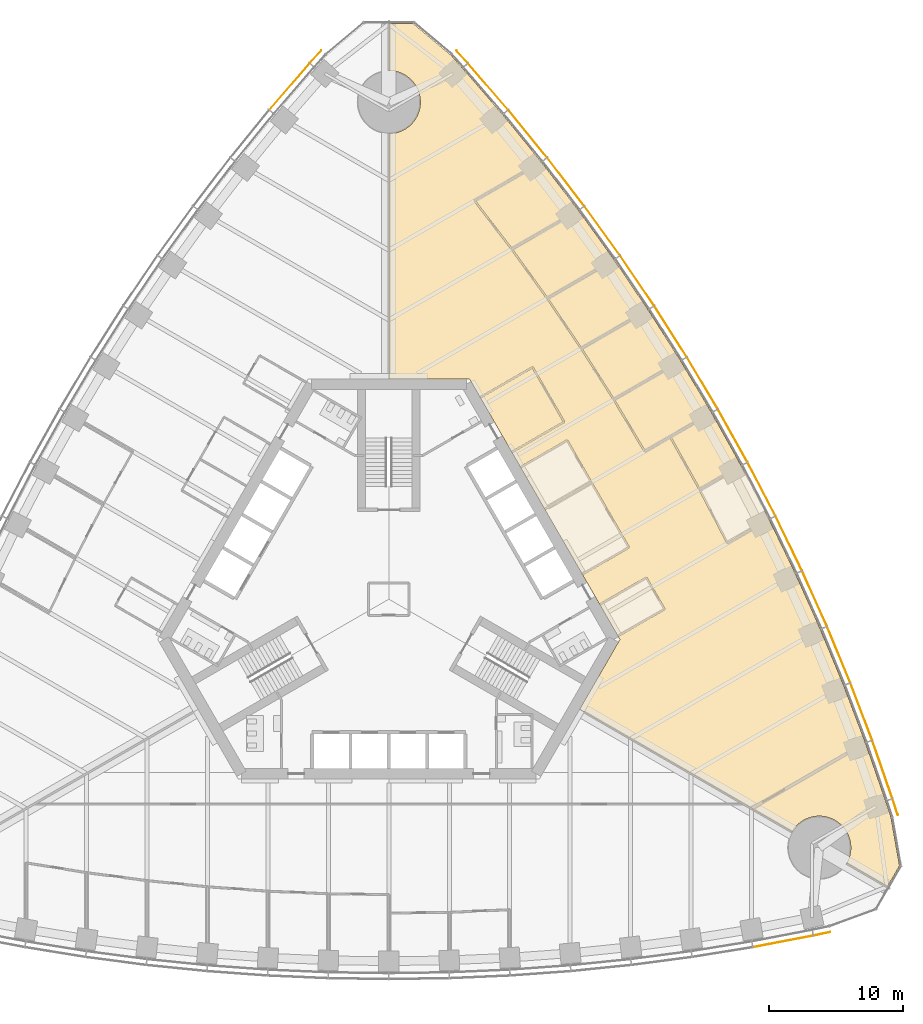
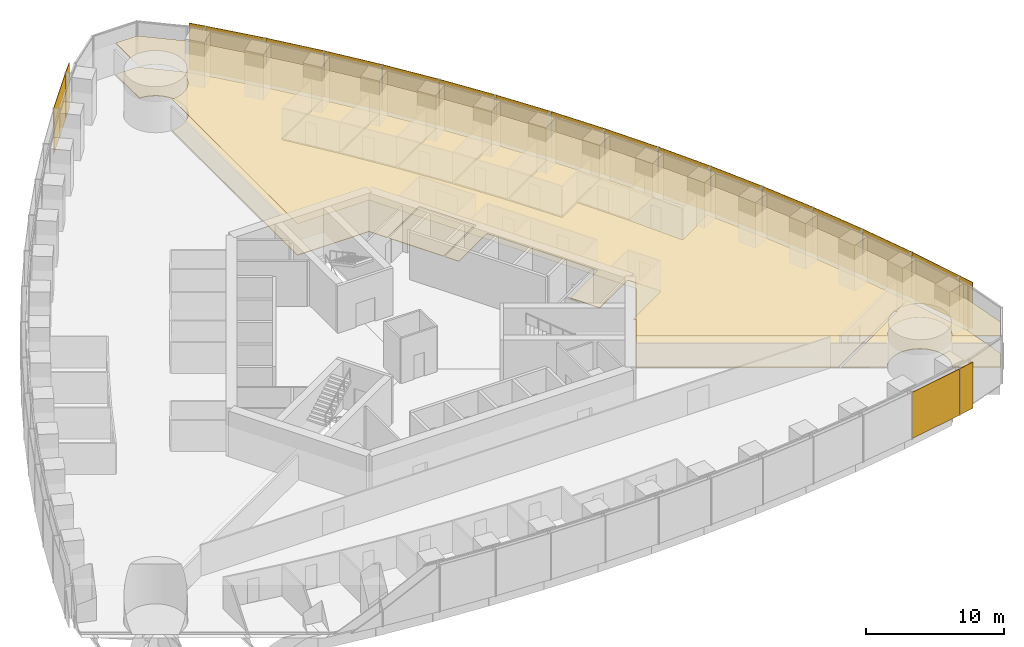
# One storey, part 16 of 18: 20 shading devices, 10 coverings.
"""IFC4 building model written with IfcOpenShell, lengths in metres."""

from ifc_helpers import new_model, si_unit, direction, frame, origin, origin_2d, place, context, subcontext, project, spatial, polyline, rectangle, outline, extrude, material, layer, layer_set, type_object, element, save


model = new_model("IFC4")

# Units and contexts
model_context = context("Model", 3, precision=1e-05, world=origin(), true_north=direction((0.0, 1.0)))
body_context = subcontext(model_context, "Body", "Model", "MODEL_VIEW")
ifc_project = project(units=[si_unit("LENGTHUNIT", "METRE"), si_unit("AREAUNIT", "SQUARE_METRE"), si_unit("VOLUMEUNIT", "CUBIC_METRE"), si_unit("PLANEANGLEUNIT", "RADIAN"), si_unit("MASSUNIT", "GRAM", prefix="KILO")], contexts=[model_context])

# Site, building, storey
site_placement = place(None, origin())
site = spatial("IfcSite", under=ifc_project, at=site_placement, CompositionType="ELEMENT")
building_placement = place(site_placement, origin())
building = spatial("IfcBuilding", under=site, at=building_placement, Name="Trefoil Bronze Tower", CompositionType="ELEMENT")
storey_placement = place(building_placement, frame((0.0, 0.0, 33.300048828125)))
storey = spatial("IfcBuildingStorey", under=building, at=storey_placement, Name="L07", CompositionType="ELEMENT", Elevation=33.300048828125)

# Shading devices
ifc_material_1 = material(Name="Perforated bronze sheet", Category="bronze")
ifc_layer_1 = layer(ifc_material_1, 0.0400390625)
ifc_layer_set_1 = layer_set([ifc_layer_1], Name="Bronze solar screen panel")
shading_device_type = type_object("IfcShadingDeviceType", Name="Bronze solar screen panel", PredefinedType="SHUTTER", material=ifc_layer_set_1)
shading_device_1_placement = place(storey_placement, frame((29.351806640625, -25.478515625, 0.0498046875), z_axis=(0.0, 0.0, 1.0), x_axis=(0.982049823817, 0.188621694249, 0.0)))
element("IfcShadingDevice", 1, at=shading_device_1_placement, inside=storey, type_object=shading_device_type, Name="Solar screen CW-A L07 F1 bay 15", PredefinedType="SHUTTER", context=body_context, shape_type="SweptSolid", body=[
    extrude(rectangle(XDim=4.55224609375, YDim=0.0400390625, at=origin_2d()), origin(), (0.0, 0.0, 1.0), 4.10009765625),
])
for number, where, z_axis, x_axis, name in (
    (2, (32.2431640625, -24.91064453125, 0.0498046875), (0.0, 0.0, 1.0), (0.978302717041, 0.207180582657, 0.0), "Solar screen CW-A L07 F1 bay 16"),
    (3, (37.69482421875, -15.468017578125, 0.0498046875), (0.0, 0.0, 1.0), (-0.309727710769, 0.950825296877, 0.0), "Solar screen CW-A L07 F2 bay 1"),
):
    element("IfcShadingDevice", number, at=place(storey_placement, frame(where, z_axis=z_axis, x_axis=x_axis)), inside=storey, type_object=shading_device_type, Name=name, PredefinedType="SHUTTER", context=body_context, shape_type="SweptSolid", body=[
        extrude(rectangle(XDim=1.260498046875, YDim=0.0400390625, at=origin_2d()), origin(), (0.0, 0.0, 1.0), 4.10009765625),
    ])
shading_device_2_placement = place(storey_placement, frame((36.740966796875, -12.68017578125, 0.0498046875), z_axis=(0.0, 0.0, 1.0), x_axis=(-0.327673732984, 0.944790942332, 0.0)))
element("IfcShadingDevice", 4, at=shading_device_2_placement, inside=storey, type_object=shading_device_type, Name="Solar screen CW-A L07 F2 bay 2", PredefinedType="SHUTTER", context=body_context, shape_type="SweptSolid", body=[
    extrude(rectangle(XDim=4.55224609375, YDim=0.0400390625, at=origin_2d()), origin(), (0.0, 0.0, 1.0), 4.10009765625),
])
shading_device_3_placement = place(storey_placement, frame((35.1748046875, -8.3701171875, 0.0498046875), z_axis=(0.0, 0.0, 1.0), x_axis=(-0.355370585687, 0.934725492767, 0.0)))
element("IfcShadingDevice", 5, at=shading_device_3_placement, inside=storey, type_object=shading_device_type, Name="Solar screen CW-A L07 F2 bay 3", PredefinedType="SHUTTER", context=body_context, shape_type="SweptSolid", body=[
    extrude(rectangle(XDim=4.5283203125, YDim=0.0400390625, at=origin_2d()), origin(), (0.0, 0.0, 1.0), 4.10009765625),
])
shading_device_4_placement = place(storey_placement, frame((33.49072265625, -4.128173828125, 0.0498046875), z_axis=(0.0, 0.0, 1.0), x_axis=(-0.382629580712, 0.923901836758, 0.0)))
element("IfcShadingDevice", 6, at=shading_device_4_placement, inside=storey, type_object=shading_device_type, Name="Solar screen CW-A L07 F2 bay 4", PredefinedType="SHUTTER", context=body_context, shape_type="SweptSolid", body=[
    extrude(rectangle(XDim=4.5087890625, YDim=0.0400390625, at=origin_2d()), origin(), (0.0, 0.0, 1.0), 4.10009765625),
])
shading_device_5_placement = place(storey_placement, frame((31.68994140625, 0.04638671875, 0.0498046875), z_axis=(0.0, 0.0, 1.0), x_axis=(-0.40945635808, 0.912329705111, 0.0)))
element("IfcShadingDevice", 7, at=shading_device_5_placement, inside=storey, type_object=shading_device_type, Name="Solar screen CW-A L07 F2 bay 5", PredefinedType="SHUTTER", context=body_context, shape_type="SweptSolid", body=[
    extrude(rectangle(XDim=4.493408203125, YDim=0.0400390625, at=origin_2d()), origin(), (0.0, 0.0, 1.0), 4.10009765625),
])
shading_device_6_placement = place(storey_placement, frame((29.77392578125, 4.154541015625, 0.0498046875), z_axis=(0.0, 0.0, 1.0), x_axis=(-0.4358553457, 0.900016731858, 0.0)))
element("IfcShadingDevice", 8, at=shading_device_6_placement, inside=storey, type_object=shading_device_type, Name="Solar screen CW-A L07 F2 bay 6", PredefinedType="SHUTTER", context=body_context, shape_type="SweptSolid", body=[
    extrude(rectangle(XDim=4.48193359375, YDim=0.0400390625, at=origin_2d()), origin(), (0.0, 0.0, 1.0), 4.10009765625),
])
shading_device_7_placement = place(storey_placement, frame((27.74365234375, 8.1962890625, 0.0498046875), z_axis=(0.0, 0.0, 1.0), x_axis=(-0.46182981834, 0.886968555752, 0.0)))
element("IfcShadingDevice", 9, at=shading_device_7_placement, inside=storey, type_object=shading_device_type, Name="Solar screen CW-A L07 F2 bay 7", PredefinedType="SHUTTER", context=body_context, shape_type="SweptSolid", body=[
    extrude(rectangle(XDim=4.474365234375, YDim=0.0400390625, at=origin_2d()), origin(), (0.0, 0.0, 1.0), 4.10009765625),
])
for number, where, z_axis, x_axis, name in (
    (10, (25.599365234375, 12.172607421875, 0.0498046875), (0.0, 0.0, 1.0), (-0.487381940453, 0.873188893722, 0.0), "Solar screen CW-A L07 F2 bay 8"),
    (11, (23.341552734375, 16.083251953125, 0.0498046875), (0.0, 0.0, 1.0), (-0.51251279404, 0.858679588639, 0.0), "Solar screen CW-A L07 F2 bay 9"),
):
    element("IfcShadingDevice", number, at=place(storey_placement, frame(where, z_axis=z_axis, x_axis=x_axis)), inside=storey, type_object=shading_device_type, Name=name, PredefinedType="SHUTTER", context=body_context, shape_type="SweptSolid", body=[
        extrude(rectangle(XDim=4.470458984375, YDim=0.0400390625, at=origin_2d()), origin(), (0.0, 0.0, 1.0), 4.10009765625),
    ])
shading_device_8_placement = place(storey_placement, frame((20.97021484375, 19.928466796875, 0.0498046875), z_axis=(0.0, 0.0, 1.0), x_axis=(-0.537222392469, 0.843440632783, 0.0)))
element("IfcShadingDevice", 12, at=shading_device_8_placement, inside=storey, type_object=shading_device_type, Name="Solar screen CW-A L07 F2 bay 10", PredefinedType="SHUTTER", context=body_context, shape_type="SweptSolid", body=[
    extrude(rectangle(XDim=4.474365234375, YDim=0.0400390625, at=origin_2d()), origin(), (0.0, 0.0, 1.0), 4.10009765625),
])
shading_device_9_placement = place(storey_placement, frame((18.48486328125, 23.707763671875, 0.0498046875), z_axis=(0.0, 0.0, 1.0), x_axis=(-0.56150968077, 0.827470167681, 0.0)))
element("IfcShadingDevice", 13, at=shading_device_9_placement, inside=storey, type_object=shading_device_type, Name="Solar screen CW-A L07 F2 bay 11", PredefinedType="SHUTTER", context=body_context, shape_type="SweptSolid", body=[
    extrude(rectangle(XDim=4.48193359375, YDim=0.0400390625, at=origin_2d()), origin(), (0.0, 0.0, 1.0), 4.10009765625),
])
shading_device_10_placement = place(storey_placement, frame((15.88525390625, 27.421142578125, 0.0498046875), z_axis=(0.0, 0.0, 1.0), x_axis=(-0.585372522213, 0.810764460394, 0.0)))
element("IfcShadingDevice", 14, at=shading_device_10_placement, inside=storey, type_object=shading_device_type, Name="Solar screen CW-A L07 F2 bay 12", PredefinedType="SHUTTER", context=body_context, shape_type="SweptSolid", body=[
    extrude(rectangle(XDim=4.493408203125, YDim=0.0400390625, at=origin_2d()), origin(), (0.0, 0.0, 1.0), 4.10009765625),
])
shading_device_11_placement = place(storey_placement, frame((13.170166015625, 31.06787109375, 0.0498046875), z_axis=(0.0, 0.0, 1.0), x_axis=(-0.608807670879, 0.793317855515, 0.0)))
element("IfcShadingDevice", 15, at=shading_device_11_placement, inside=storey, type_object=shading_device_type, Name="Solar screen CW-A L07 F2 bay 13", PredefinedType="SHUTTER", context=body_context, shape_type="SweptSolid", body=[
    extrude(rectangle(XDim=4.5087890625, YDim=0.0400390625, at=origin_2d()), origin(), (0.0, 0.0, 1.0), 4.10009765625),
])
shading_device_12_placement = place(storey_placement, frame((10.338623046875, 34.6474609375, 0.0498046875), z_axis=(0.0, 0.0, 1.0), x_axis=(-0.631810729457, 0.775122701346, 0.0)))
element("IfcShadingDevice", 16, at=shading_device_12_placement, inside=storey, type_object=shading_device_type, Name="Solar screen CW-A L07 F2 bay 14", PredefinedType="SHUTTER", context=body_context, shape_type="SweptSolid", body=[
    extrude(rectangle(XDim=4.5283203125, YDim=0.0400390625, at=origin_2d()), origin(), (0.0, 0.0, 1.0), 4.10009765625),
])
shading_device_13_placement = place(storey_placement, frame((7.38916015625, 38.15869140625, 0.0498046875), z_axis=(0.0, 0.0, 1.0), x_axis=(-0.654376090833, 0.756169248083, 0.0)))
element("IfcShadingDevice", 17, at=shading_device_13_placement, inside=storey, type_object=shading_device_type, Name="Solar screen CW-A L07 F2 bay 15", PredefinedType="SHUTTER", context=body_context, shape_type="SweptSolid", body=[
    extrude(rectangle(XDim=4.55224609375, YDim=0.0400390625, at=origin_2d()), origin(), (0.0, 0.0, 1.0), 4.10009765625),
])
for number, where, z_axis, x_axis, name in (
    (18, (5.45166015625, 40.378662109375, 0.0498046875), (0.0, 0.0, 1.0), (-0.668575006272, 0.743644714221, 0.0), "Solar screen CW-A L07 F2 bay 16"),
    (19, (-5.45166015625, 40.378662109375, 0.0498046875), (0.0, 0.0, 1.0), (-0.668575006272, -0.743644714221, 0.0), "Solar screen CW-A L07 F3 bay 1"),
):
    element("IfcShadingDevice", number, at=place(storey_placement, frame(where, z_axis=z_axis, x_axis=x_axis)), inside=storey, type_object=shading_device_type, Name=name, PredefinedType="SHUTTER", context=body_context, shape_type="SweptSolid", body=[
        extrude(rectangle(XDim=1.260498046875, YDim=0.0400390625, at=origin_2d()), origin(), (0.0, 0.0, 1.0), 4.10009765625),
    ])
shading_device_14_placement = place(storey_placement, frame((-7.38916015625, 38.15869140625, 0.0498046875), z_axis=(0.0, 0.0, 1.0), x_axis=(-0.654376090833, -0.756169248083, 0.0)))
element("IfcShadingDevice", 20, at=shading_device_14_placement, inside=storey, type_object=shading_device_type, Name="Solar screen CW-A L07 F3 bay 2", PredefinedType="SHUTTER", context=body_context, shape_type="SweptSolid", body=[
    extrude(rectangle(XDim=4.55224609375, YDim=0.0400390625, at=origin_2d()), origin(), (0.0, 0.0, 1.0), 4.10009765625),
])

# Coverings
ifc_material_2 = material(Name="Acoustic ceiling panels", Category="mineral fibre")
ifc_layer_2 = layer(ifc_material_2, 0.02001953125)
ifc_layer_set_2 = layer_set([ifc_layer_2], Name="Office ceiling 20")
covering_type_1 = type_object("IfcCoveringType", Name="Office ceiling 20", PredefinedType="CEILING", material=ifc_layer_set_2)
covering_1_placement = place(storey_placement, frame((0.0, 0.0, 2.89990234375)))
element("IfcCovering", 21, at=covering_1_placement, inside=storey, type_object=covering_type_1, Name="Ceiling L07 Open-plan office F2", PredefinedType="CEILING", context=body_context, shape_type="SweptSolid", body=[
    extrude(outline(polyline([(5.4814453125, 39.537841796875), (8.47998046875, 36.072998046875), (11.360107421875, 32.53955078125), (14.123291015625, 28.938720703125), (16.771240234375, 25.271484375), (19.3046875, 21.537841796875), (21.724609375, 17.73876953125), (24.031005859375, 13.87451171875), (26.224609375, 9.944580078125), (28.3046875, 5.949462890625), (30.271240234375, 1.888671875), (32.123291015625, -2.23828125), (33.860107421875, -6.431640625), (35.47998046875, -10.6923828125), (36.9814453125, -15.021728515625), (37.381103515625, -16.248779296875), (38.0146484375, -19.841552734375), (37.110595703125, -21.4072265625), (34.084716796875, -19.661865234375), (34.115478515625, -19.60791015625), (34.167236328125, -19.5048828125), (34.214111328125, -19.3994140625), (34.255615234375, -19.291748046875), (34.291748046875, -19.18212890625), (34.322509765625, -19.071044921875), (34.347900390625, -18.95849609375), (34.367431640625, -18.8447265625), (34.381591796875, -18.730224609375), (34.39013671875, -18.615234375), (34.392822265625, -18.5), (34.39013671875, -18.384765625), (34.381591796875, -18.269775390625), (34.367431640625, -18.1552734375), (34.347900390625, -18.04150390625), (34.322509765625, -17.928955078125), (34.291748046875, -17.81787109375), (34.255615234375, -17.708251953125), (34.214111328125, -17.6005859375), (34.167236328125, -17.4951171875), (34.115478515625, -17.39208984375), (34.05859375, -17.2919921875), (33.996826171875, -17.1943359375), (33.930419921875, -17.10009765625), (33.859619140625, -17.00927734375), (33.7841796875, -16.921875), (33.70458984375, -16.83837890625), (33.62109375, -16.7587890625), (33.53369140625, -16.683349609375), (33.44287109375, -16.612548828125), (33.348388671875, -16.5458984375), (33.251220703125, -16.484375), (33.150634765625, -16.427490234375), (33.047607421875, -16.37548828125), (32.942138671875, -16.328857421875), (32.834716796875, -16.287353515625), (32.72509765625, -16.251220703125), (32.614013671875, -16.220458984375), (32.50146484375, -16.1953125), (32.3876953125, -16.17529296875), (32.273193359375, -16.161376953125), (32.158203125, -16.15283203125), (32.04296875, -16.14990234375), (31.927490234375, -16.15283203125), (31.8125, -16.161376953125), (31.697998046875, -16.17529296875), (31.58447265625, -16.1953125), (31.471923828125, -16.220458984375), (31.36083984375, -16.251220703125), (31.251220703125, -16.287353515625), (31.1435546875, -16.328857421875), (31.0380859375, -16.37548828125), (30.935302734375, -16.427490234375), (30.834716796875, -16.484375), (30.7373046875, -16.5458984375), (30.64306640625, -16.612548828125), (30.552001953125, -16.683349609375), (30.46484375, -16.7587890625), (30.381103515625, -16.83837890625), (30.3017578125, -16.921875), (30.226318359375, -17.00927734375), (30.155517578125, -17.10009765625), (30.089111328125, -17.1943359375), (30.02734375, -17.2919921875), (30.0146484375, -17.31396484375), (14.205810546875, -8.194580078125), (17.205078125, -3.0), (6.00439453125, 16.39990234375), (0.006103515625, 16.39990234375), (0.012939453125, 34.650390625), (0.115234375, 34.65283203125), (0.230224609375, 34.661376953125), (0.3447265625, 34.67529296875), (0.45849609375, 34.6953125), (0.571044921875, 34.720458984375), (0.68212890625, 34.751220703125), (0.791748046875, 34.787353515625), (0.8994140625, 34.828857421875), (1.0048828125, 34.87548828125), (1.10791015625, 34.927490234375), (1.2080078125, 34.984375), (1.3056640625, 35.0458984375), (1.39990234375, 35.112548828125), (1.49072265625, 35.183349609375), (1.578125, 35.2587890625), (1.66162109375, 35.33837890625), (1.7412109375, 35.421875), (1.816650390625, 35.50927734375), (1.887451171875, 35.60009765625), (1.9541015625, 35.6943359375), (2.015625, 35.7919921875), (2.072509765625, 35.89208984375), (2.12451171875, 35.9951171875), (2.171142578125, 36.1005859375), (2.212646484375, 36.208251953125), (2.248779296875, 36.31787109375), (2.279541015625, 36.428955078125), (2.3046875, 36.54150390625), (2.32470703125, 36.6552734375), (2.338623046875, 36.769775390625), (2.34716796875, 36.884765625), (2.35009765625, 37.0), (2.34716796875, 37.115234375), (2.338623046875, 37.230224609375), (2.32470703125, 37.3447265625), (2.3046875, 37.45849609375), (2.279541015625, 37.571044921875), (2.248779296875, 37.68212890625), (2.212646484375, 37.791748046875), (2.171142578125, 37.8994140625), (2.12451171875, 38.0048828125), (2.072509765625, 38.10791015625), (2.015625, 38.2080078125), (1.9541015625, 38.3056640625), (1.887451171875, 38.39990234375), (1.816650390625, 38.49072265625), (1.7412109375, 38.578125), (1.66162109375, 38.66162109375), (1.578125, 38.7412109375), (1.49072265625, 38.816650390625), (1.39990234375, 38.887451171875), (1.3056640625, 38.9541015625), (1.2080078125, 39.015625), (1.10791015625, 39.072509765625), (1.0048828125, 39.12451171875), (0.8994140625, 39.171142578125), (0.791748046875, 39.212646484375), (0.68212890625, 39.248779296875), (0.571044921875, 39.279541015625), (0.45849609375, 39.3046875), (0.3447265625, 39.32470703125), (0.230224609375, 39.338623046875), (0.115234375, 39.34716796875), (0.014892578125, 39.349609375), (0.01611328125, 42.84228515625), (1.82421875, 42.84228515625), (4.618896484375, 40.497314453125), (5.4814453125, 39.537841796875)])), origin(), (0.0, 0.0, 1.0), 0.02001953125),
])
ifc_material_3 = material(Name="Raised access floor panels", Category="steel")
ifc_layer_3 = layer(ifc_material_3, 0.050048828125)
ifc_layer_set_3 = layer_set([ifc_layer_3], Name="Raised access floor 150")
covering_type_2 = type_object("IfcCoveringType", Name="Raised access floor 150", PredefinedType="FLOORING", material=ifc_layer_set_3)
covering_2_placement = place(storey_placement, frame((0.0, 0.0, 0.099853515625)))
element("IfcCovering", 22, at=covering_2_placement, inside=storey, type_object=covering_type_2, Name="Raised floor L07 Boardroom F2", PredefinedType="FLOORING", context=body_context, shape_type="SweptSolid", body=[
    extrude(outline(polyline([(30.0146484375, -17.31396484375), (27.11181640625, -15.639404296875), (34.140625, -11.581298828125), (34.090576171875, -11.49462890625), (35.47998046875, -10.6923828125), (36.9814453125, -15.021728515625), (37.381103515625, -16.248779296875), (38.0146484375, -19.841552734375), (37.110595703125, -21.4072265625), (34.084716796875, -19.661865234375), (34.115478515625, -19.60791015625), (34.167236328125, -19.5048828125), (34.214111328125, -19.3994140625), (34.255615234375, -19.291748046875), (34.291748046875, -19.18212890625), (34.322509765625, -19.071044921875), (34.347900390625, -18.95849609375), (34.367431640625, -18.8447265625), (34.381591796875, -18.730224609375), (34.39013671875, -18.615234375), (34.392822265625, -18.5), (34.39013671875, -18.384765625), (34.381591796875, -18.269775390625), (34.367431640625, -18.1552734375), (34.347900390625, -18.04150390625), (34.322509765625, -17.928955078125), (34.291748046875, -17.81787109375), (34.255615234375, -17.708251953125), (34.214111328125, -17.6005859375), (34.167236328125, -17.4951171875), (34.115478515625, -17.39208984375), (34.05859375, -17.2919921875), (33.996826171875, -17.1943359375), (33.930419921875, -17.10009765625), (33.859619140625, -17.00927734375), (33.7841796875, -16.921875), (33.70458984375, -16.83837890625), (33.62109375, -16.7587890625), (33.53369140625, -16.683349609375), (33.44287109375, -16.612548828125), (33.348388671875, -16.5458984375), (33.251220703125, -16.484375), (33.150634765625, -16.427490234375), (33.047607421875, -16.37548828125), (32.942138671875, -16.328857421875), (32.834716796875, -16.287353515625), (32.72509765625, -16.251220703125), (32.614013671875, -16.220458984375), (32.50146484375, -16.1953125), (32.3876953125, -16.17529296875), (32.273193359375, -16.161376953125), (32.158203125, -16.15283203125), (32.04296875, -16.14990234375), (31.927490234375, -16.15283203125), (31.8125, -16.161376953125), (31.697998046875, -16.17529296875), (31.58447265625, -16.1953125), (31.471923828125, -16.220458984375), (31.36083984375, -16.251220703125), (31.251220703125, -16.287353515625), (31.1435546875, -16.328857421875), (31.0380859375, -16.37548828125), (30.935302734375, -16.427490234375), (30.834716796875, -16.484375), (30.7373046875, -16.5458984375), (30.64306640625, -16.612548828125), (30.552001953125, -16.683349609375), (30.46484375, -16.7587890625), (30.381103515625, -16.83837890625), (30.3017578125, -16.921875), (30.226318359375, -17.00927734375), (30.155517578125, -17.10009765625), (30.089111328125, -17.1943359375), (30.02734375, -17.2919921875), (30.0146484375, -17.31396484375)])), origin(), (0.0, 0.0, 1.0), 0.050048828125),
])
covering_3_placement = place(storey_placement, frame((0.0, 0.0, 0.099853515625)))
element("IfcCovering", 23, at=covering_3_placement, inside=storey, type_object=covering_type_2, Name="Raised floor L07 Reception F2", PredefinedType="FLOORING", context=body_context, shape_type="SweptSolid", body=[
    extrude(outline(polyline([(6.834716796875, 14.9619140625), (10.679931640625, 17.181884765625), (12.969970703125, 13.215576171875), (9.124755859375, 10.99560546875), (6.834716796875, 14.9619140625)])), origin(), (0.0, 0.0, 1.0), 0.050048828125),
])
covering_4_placement = place(storey_placement, frame((0.0, 0.0, 0.099853515625)))
element("IfcCovering", 24, at=covering_4_placement, inside=storey, type_object=covering_type_2, Name="Raised floor L07 Office F2", PredefinedType="FLOORING", context=body_context, shape_type="SweptSolid", body=[
    extrude(outline(polyline([(11.360107421875, 32.53955078125), (14.123291015625, 28.938720703125), (12.745849609375, 28.143310546875), (12.7158203125, 28.1953125), (9.1591796875, 26.14208984375), (6.4697265625, 29.646728515625), (10.007080078125, 31.689208984375), (9.977294921875, 31.7412109375), (11.360107421875, 32.53955078125)])), origin(), (0.0, 0.0, 1.0), 0.050048828125),
])
covering_5_placement = place(storey_placement, frame((0.0, 0.0, 0.099853515625)))
element("IfcCovering", 25, at=covering_5_placement, inside=storey, type_object=covering_type_2, Name="Raised floor L07 Office F2", PredefinedType="FLOORING", context=body_context, shape_type="SweptSolid", body=[
    extrude(outline(polyline([(16.771240234375, 25.271484375), (15.397705078125, 24.478515625), (15.367919921875, 24.5302734375), (11.80859375, 22.475341796875), (9.231201171875, 26.044921875), (12.77587890625, 28.091552734375), (12.745849609375, 28.143310546875), (14.123291015625, 28.938720703125), (16.771240234375, 25.271484375)])), origin(), (0.0, 0.0, 1.0), 0.050048828125),
])
covering_6_placement = place(storey_placement, frame((0.0, 0.0, 0.099853515625)))
element("IfcCovering", 26, at=covering_6_placement, inside=storey, type_object=covering_type_2, Name="Raised floor L07 Office F2", PredefinedType="FLOORING", context=body_context, shape_type="SweptSolid", body=[
    extrude(outline(polyline([(16.771240234375, 25.271484375), (19.3046875, 21.537841796875), (17.93408203125, 20.74658203125), (17.904052734375, 20.798583984375), (14.343505859375, 18.742919921875), (11.87744140625, 22.376708984375), (15.427734375, 24.426513671875), (15.397705078125, 24.478515625), (16.771240234375, 25.271484375)])), origin(), (0.0, 0.0, 1.0), 0.050048828125),
])
covering_7_placement = place(storey_placement, frame((0.0, 0.0, 0.099853515625)))
element("IfcCovering", 27, at=covering_7_placement, inside=storey, type_object=covering_type_2, Name="Raised floor L07 Office F2", PredefinedType="FLOORING", context=body_context, shape_type="SweptSolid", body=[
    extrude(outline(polyline([(21.724609375, 17.73876953125), (20.355712890625, 16.948486328125), (20.32568359375, 17.00048828125), (16.7646484375, 14.944580078125), (14.409423828125, 18.642333984375), (17.964111328125, 20.694580078125), (17.93408203125, 20.74658203125), (19.3046875, 21.537841796875), (21.724609375, 17.73876953125)])), origin(), (0.0, 0.0, 1.0), 0.050048828125),
])
covering_8_placement = place(storey_placement, frame((0.0, 0.0, 0.099853515625)))
element("IfcCovering", 28, at=covering_8_placement, inside=storey, type_object=covering_type_2, Name="Raised floor L07 Office F2", PredefinedType="FLOORING", context=body_context, shape_type="SweptSolid", body=[
    extrude(outline(polyline([(21.724609375, 17.73876953125), (24.031005859375, 13.87451171875), (22.662841796875, 13.08447265625), (22.6328125, 13.13623046875), (19.07275390625, 11.080810546875), (16.82763671875, 14.84228515625), (20.385498046875, 16.896484375), (20.355712890625, 16.948486328125), (21.724609375, 17.73876953125)])), origin(), (0.0, 0.0, 1.0), 0.050048828125),
])
covering_9_placement = place(storey_placement, frame((0.0, 0.0, 0.099853515625)))
element("IfcCovering", 29, at=covering_9_placement, inside=storey, type_object=covering_type_2, Name="Raised floor L07 Print and store room F2", PredefinedType="FLOORING", context=body_context, shape_type="SweptSolid", body=[
    extrude(outline(polyline([(24.031005859375, 13.87451171875), (26.224609375, 9.944580078125), (24.855712890625, 9.154296875), (24.82568359375, 9.206298828125), (23.159912109375, 8.244384765625), (21.02490234375, 12.069580078125), (22.69287109375, 13.032470703125), (22.662841796875, 13.08447265625), (24.031005859375, 13.87451171875)])), origin(), (0.0, 0.0, 1.0), 0.050048828125),
])
covering_10_placement = place(storey_placement, frame((0.0, 0.0, 0.099853515625)))
element("IfcCovering", 30, at=covering_10_placement, inside=storey, type_object=covering_type_2, Name="Raised floor L07 Open-plan office F2", PredefinedType="FLOORING", context=body_context, shape_type="SweptSolid", body=[
    extrude(outline(polyline([(11.360107421875, 32.53955078125), (9.977294921875, 31.7412109375), (9.947265625, 31.793212890625), (6.3505859375, 29.716552734375), (6.380615234375, 29.66455078125), (6.3330078125, 29.6279296875), (9.095703125, 26.02783203125), (11.742431640625, 22.36181640625), (14.27490234375, 18.6298828125), (16.69384765625, 14.832275390625), (19.0, 10.968505859375), (19.051513671875, 10.99951171875), (19.081298828125, 10.947509765625), (20.9208984375, 12.009521484375), (23.084228515625, 8.133544921875), (25.1640625, 4.13916015625), (25.21728515625, 4.1669921875), (25.247314453125, 4.114990234375), (26.964111328125, 5.106201171875), (26.93408203125, 5.158203125), (28.3046875, 5.949462890625), (30.271240234375, 1.888671875), (32.123291015625, -2.23828125), (33.860107421875, -6.431640625), (35.47998046875, -10.6923828125), (34.090576171875, -11.49462890625), (34.04052734375, -11.408203125), (27.0048828125, -15.47021484375), (27.054931640625, -15.556640625), (27.01171875, -15.581787109375), (14.205810546875, -8.194580078125), (17.205078125, -3.0), (17.084716796875, -2.79150390625), (20.548828125, -0.79150390625), (20.518798828125, -0.73974609375), (20.57080078125, -0.709716796875), (19.220703125, 1.628662109375), (19.168701171875, 1.5986328125), (19.138916015625, 1.650634765625), (15.6748046875, -0.349365234375), (14.434814453125, 1.79833984375), (17.898681640625, 3.79833984375), (17.868896484375, 3.850341796875), (17.9208984375, 3.88037109375), (13.32080078125, 11.84765625), (13.268798828125, 11.817626953125), (13.23876953125, 11.86962890625), (9.774658203125, 9.86962890625), (9.184814453125, 10.8916015625), (13.081787109375, 13.1416015625), (13.052001953125, 13.193603515625), (13.103759765625, 13.223388671875), (10.75390625, 17.293701171875), (10.701904296875, 17.263916015625), (10.671875, 17.31591796875), (6.774658203125, 15.06591796875), (6.00439453125, 16.39990234375), (0.006103515625, 16.39990234375), (0.012939453125, 34.650390625), (0.115234375, 34.65283203125), (0.230224609375, 34.661376953125), (0.3447265625, 34.67529296875), (0.45849609375, 34.6953125), (0.571044921875, 34.720458984375), (0.68212890625, 34.751220703125), (0.791748046875, 34.787353515625), (0.8994140625, 34.828857421875), (1.0048828125, 34.87548828125), (1.10791015625, 34.927490234375), (1.2080078125, 34.984375), (1.3056640625, 35.0458984375), (1.39990234375, 35.112548828125), (1.49072265625, 35.183349609375), (1.578125, 35.2587890625), (1.66162109375, 35.33837890625), (1.7412109375, 35.421875), (1.816650390625, 35.50927734375), (1.887451171875, 35.60009765625), (1.9541015625, 35.6943359375), (2.015625, 35.7919921875), (2.072509765625, 35.89208984375), (2.12451171875, 35.9951171875), (2.171142578125, 36.1005859375), (2.212646484375, 36.208251953125), (2.248779296875, 36.31787109375), (2.279541015625, 36.428955078125), (2.3046875, 36.54150390625), (2.32470703125, 36.6552734375), (2.338623046875, 36.769775390625), (2.34716796875, 36.884765625), (2.35009765625, 37.0), (2.34716796875, 37.115234375), (2.338623046875, 37.230224609375), (2.32470703125, 37.3447265625), (2.3046875, 37.45849609375), (2.279541015625, 37.571044921875), (2.248779296875, 37.68212890625), (2.212646484375, 37.791748046875), (2.171142578125, 37.8994140625), (2.12451171875, 38.0048828125), (2.072509765625, 38.10791015625), (2.015625, 38.2080078125), (1.9541015625, 38.3056640625), (1.887451171875, 38.39990234375), (1.816650390625, 38.49072265625), (1.7412109375, 38.578125), (1.66162109375, 38.66162109375), (1.578125, 38.7412109375), (1.49072265625, 38.816650390625), (1.39990234375, 38.887451171875), (1.3056640625, 38.9541015625), (1.2080078125, 39.015625), (1.10791015625, 39.072509765625), (1.0048828125, 39.12451171875), (0.8994140625, 39.171142578125), (0.791748046875, 39.212646484375), (0.68212890625, 39.248779296875), (0.571044921875, 39.279541015625), (0.45849609375, 39.3046875), (0.3447265625, 39.32470703125), (0.230224609375, 39.338623046875), (0.115234375, 39.34716796875), (0.014892578125, 39.349609375), (0.01611328125, 42.84228515625), (1.82421875, 42.84228515625), (4.618896484375, 40.497314453125), (5.4814453125, 39.537841796875), (8.47998046875, 36.072998046875), (11.360107421875, 32.53955078125)])), origin(), (0.0, 0.0, 1.0), 0.050048828125),
])

save(model, "model.ifc")
